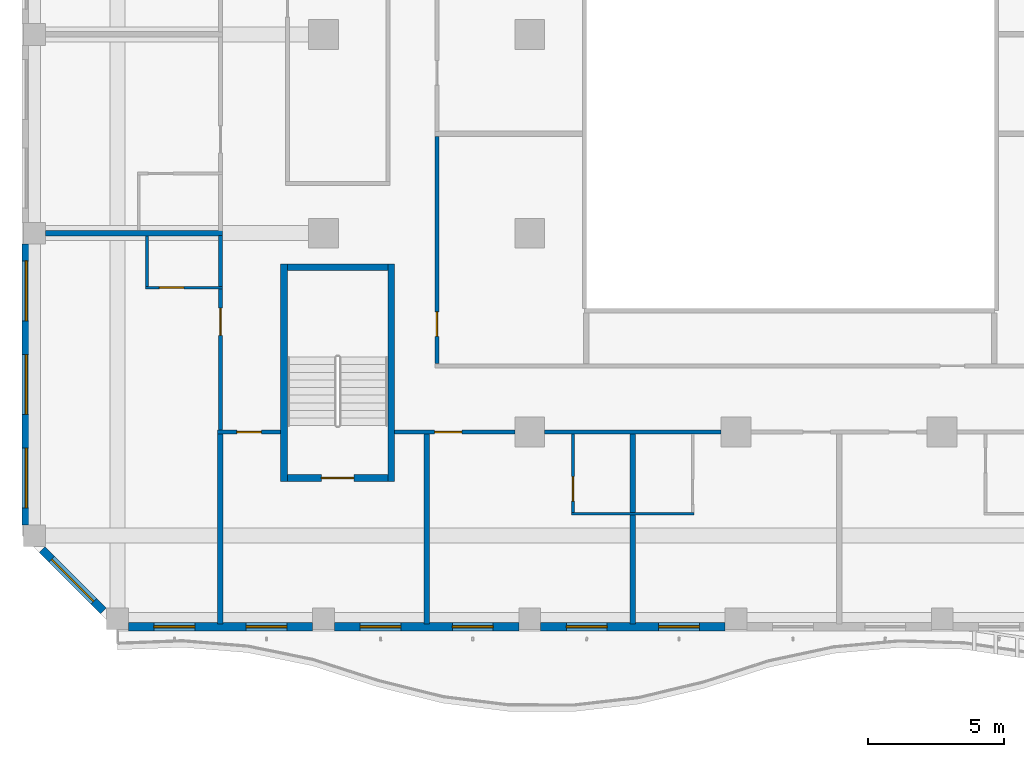
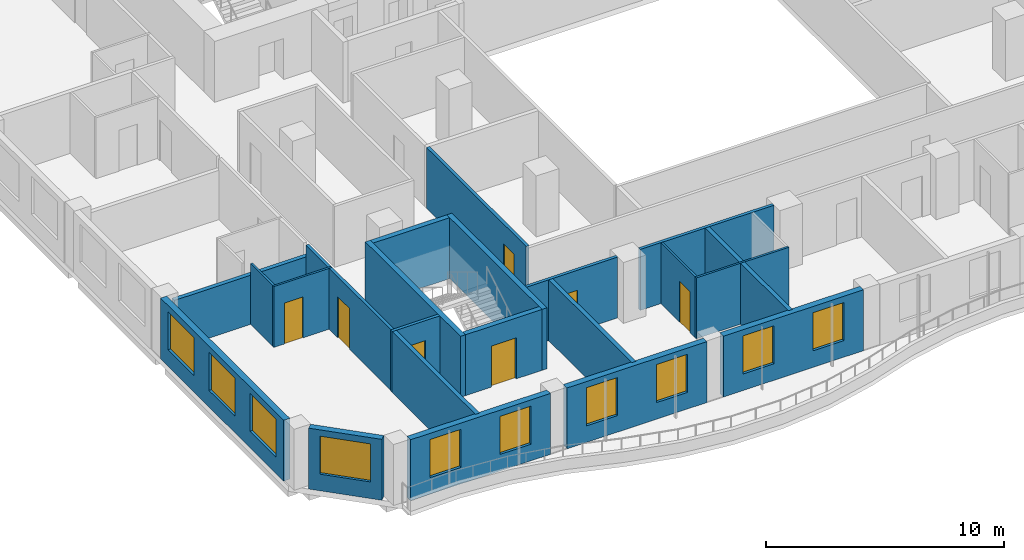
# One storey, part 2 of 20: 24 walls, 10 windows, 7 doors, 17 openings.
"""IFC4 building model written with IfcOpenShell, lengths in metres."""

from ifc_helpers import new_model, si_unit, direction, frame, frame_2d, origin, place, context, subcontext, project, spatial, rectangle, extrude, source, transform, mapped, material, layer, layer_set, type_object, element, fill, save


model = new_model("IFC4")

# Units and contexts
model_context = context("Model", 3, precision=1e-05, world=origin(), true_north=direction((0.0, 1.0)))
body_context = subcontext(model_context, "Body", "Model", "MODEL_VIEW")
ifc_project = project(units=[si_unit("LENGTHUNIT", "METRE"), si_unit("AREAUNIT", "SQUARE_METRE"), si_unit("VOLUMEUNIT", "CUBIC_METRE"), si_unit("PLANEANGLEUNIT", "RADIAN"), si_unit("MASSUNIT", "GRAM", prefix="KILO")], contexts=[model_context])

# Site, building, storey
site_placement = place(None, origin())
site = spatial("IfcSite", under=ifc_project, at=site_placement, CompositionType="ELEMENT")
building_placement = place(site_placement, origin())
building = spatial("IfcBuilding", under=site, at=building_placement, Name="Kilnfold Tower and Market Hall", CompositionType="ELEMENT")
storey_placement = place(building_placement, frame((0.0, 0.0, 157.5)))
storey = spatial("IfcBuildingStorey", under=building, at=storey_placement, Name="L36", CompositionType="ELEMENT", Elevation=157.5)

# Wall, opening, door
ifc_material_1 = material(Name="Gypsum board on steel studs", Category="steel")
ifc_layer_1 = layer(ifc_material_1, 0.14990234375)
ifc_layer_set_1 = layer_set([ifc_layer_1], Name="Gypsum board on steel studs")
wall_type_1 = type_object("IfcWallType", Name="WALL CORRIDOR 150", PredefinedType="PARTITIONING", material=ifc_layer_set_1)
wall_1_placement = place(storey_placement, frame((-13.550048828125, -13.93798828125, 0.0), z_axis=(0.0, 0.0, 1.0), x_axis=(1.0, 0.0, 0.0)))
wall_1 = element("IfcWall", 1, at=wall_1_placement, inside=storey, type_object=wall_type_1, Name="Partition LY23.1", PredefinedType="PARTITIONING", context=body_context, shape_type="SweptSolid", body=[
    extrude(rectangle(XDim=4.4169921875, YDim=0.14990234375, at=frame_2d((2.20849609375, 0.0))), origin(), (0.0, 0.0, 1.0), 3.1201171875),
])
opening_1_placement = place(wall_1_placement, frame((1.468017578125, 0.0, 0.0)))
opening_1 = element("IfcOpeningElement", 2, at=opening_1_placement, cuts=wall_1, Name="Opening D1", PredefinedType="OPENING", context=body_context, shape_type="SweptSolid", body=[
    extrude(rectangle(XDim=1.0, YDim=2.10009765625, at=frame_2d((0.5, 1.050048828125))), frame((0.0, 0.0849609375, 0.0), z_axis=(0.0, -1.0, 0.0), x_axis=(1.0, 0.0, 0.0)), (0.0, 0.0, 1.0), 0.169921875),
])
ifc_material_2 = material(Name="Timber veneer door leaf in steel frame", Category="steel")
door_type_1 = type_object("IfcDoorType", Name="DOOR ENTRY 1000 X2100", OperationType="NOTDEFINED", PredefinedType="DOOR", material=ifc_material_2)
door_1_placement = place(opening_1_placement, origin())
door_1 = element("IfcDoor", 3, at=door_1_placement, inside=storey, type_object=door_type_1, Name="Door D1", OperationType="SINGLE_SWING_RIGHT", OverallHeight=2.10009765625, OverallWidth=1.0, PredefinedType="DOOR", context=body_context, shape_type="SweptSolid", body=[
    extrude(rectangle(XDim=1.0, YDim=2.10009765625, at=frame_2d((0.5, 1.050048828125))), frame((0.0, 0.02490234375, 0.0), z_axis=(0.0, -1.0, 0.0), x_axis=(1.0, 0.0, 0.0)), (0.0, 0.0, 1.0), 0.050048828125),
])
fill(opening_1, door_1)

wall_2_placement = place(storey_placement, frame((-20.05908203125, -13.93798828125, 0.0), z_axis=(0.0, 0.0, 1.0), x_axis=(1.0, 0.0, 0.0)))
wall_2 = element("IfcWall", 4, at=wall_2_placement, inside=storey, type_object=wall_type_1, Name="Partition LY23.2", PredefinedType="PARTITIONING", context=body_context, shape_type="SweptSolid", body=[
    extrude(rectangle(XDim=2.30908203125, YDim=0.14990234375, at=frame_2d((1.154541015625, 0.0))), origin(), (0.0, 0.0, 1.0), 3.1201171875),
])
opening_2_placement = place(wall_2_placement, frame((0.705078125, 0.0, 0.0)))
opening_2 = element("IfcOpeningElement", 5, at=opening_2_placement, cuts=wall_2, Name="Opening D2", PredefinedType="OPENING", context=body_context, shape_type="SweptSolid", body=[
    extrude(rectangle(XDim=0.89990234375, YDim=2.10009765625, at=frame_2d((0.449951171875, 1.050048828125))), frame((0.0, 0.0849609375, 0.0), z_axis=(0.0, -1.0, 0.0), x_axis=(1.0, 0.0, 0.0)), (0.0, 0.0, 1.0), 0.169921875),
])
ifc_material_3 = material(Name="Timber veneer door leaf in steel frame", Category="steel")
door_type_2 = type_object("IfcDoorType", Name="DOOR ROOM 900 X2100", OperationType="NOTDEFINED", PredefinedType="DOOR", material=ifc_material_3)
door_2_placement = place(opening_2_placement, origin())
door_2 = element("IfcDoor", 6, at=door_2_placement, inside=storey, type_object=door_type_2, Name="Door D2", OperationType="SINGLE_SWING_RIGHT", OverallHeight=2.10009765625, OverallWidth=0.89990234375, PredefinedType="DOOR", context=body_context, shape_type="SweptSolid", body=[
    extrude(rectangle(XDim=0.89990234375, YDim=2.10009765625, at=frame_2d((0.449951171875, 1.050048828125))), frame((0.0, 0.02490234375, 0.0), z_axis=(0.0, -1.0, 0.0), x_axis=(1.0, 0.0, 0.0)), (0.0, 0.0, 1.0), 0.050048828125),
])
fill(opening_2, door_2)

# Wall
wall_3_placement = place(storey_placement, frame((-8.032958984375, -13.93798828125, 0.0), z_axis=(0.0, 0.0, 1.0), x_axis=(1.0, 0.0, 0.0)))
element("IfcWall", 7, at=wall_3_placement, inside=storey, type_object=wall_type_1, Name="Partition LY23.3", PredefinedType="PARTITIONING", context=body_context, shape_type="SweptSolid", body=[
    extrude(rectangle(XDim=6.48291015625, YDim=0.14990234375, at=frame_2d((3.241455078125, 0.0))), origin(), (0.0, 0.0, 1.0), 3.1201171875),
])

# Wall, opening, door
wall_4_placement = place(storey_placement, frame((-19.958984375, -13.863037109375, 0.0), z_axis=(0.0, 0.0, 1.0), x_axis=(0.0, 1.0, 0.0)))
wall_4 = element("IfcWall", 8, at=wall_4_placement, inside=storey, type_object=wall_type_1, Name="Partition LY23.10", PredefinedType="PARTITIONING", context=body_context, shape_type="SweptSolid", body=[
    extrude(rectangle(XDim=5.197998046875, YDim=0.14990234375, at=frame_2d((2.59912109375, 0.0))), origin(), (0.0, 0.0, 1.0), 3.1201171875),
])
opening_3_placement = place(wall_4_placement, frame((3.485107421875, 0.0, 0.0)))
opening_3 = element("IfcOpeningElement", 9, at=opening_3_placement, cuts=wall_4, Name="Opening D1", PredefinedType="OPENING", context=body_context, shape_type="SweptSolid", body=[
    extrude(rectangle(XDim=1.0, YDim=2.10009765625, at=frame_2d((0.5, 1.050048828125))), frame((0.0, 0.0849609375, 0.0), z_axis=(0.0, -1.0, 0.0), x_axis=(1.0, 0.0, 0.0)), (0.0, 0.0, 1.0), 0.169921875),
])
door_3_placement = place(opening_3_placement, origin())
door_3 = element("IfcDoor", 10, at=door_3_placement, inside=storey, type_object=door_type_1, Name="Door D1", OperationType="SINGLE_SWING_RIGHT", OverallHeight=2.10009765625, OverallWidth=1.0, PredefinedType="DOOR", context=body_context, shape_type="SweptSolid", body=[
    extrude(rectangle(XDim=1.0, YDim=2.10009765625, at=frame_2d((0.5, 1.050048828125))), frame((0.0, 0.02490234375, 0.0), z_axis=(0.0, -1.0, 0.0), x_axis=(1.0, 0.0, 0.0)), (0.0, 0.0, 1.0), 0.050048828125),
])
fill(opening_3, door_3)

# Wall
wall_5_placement = place(storey_placement, frame((-19.958984375, -8.5849609375, 0.0), z_axis=(0.0, 0.0, 1.0), x_axis=(0.0, 1.0, 0.0)))
element("IfcWall", 11, at=wall_5_placement, inside=storey, type_object=wall_type_1, Name="Partition LY23.11", PredefinedType="PARTITIONING", context=body_context, shape_type="SweptSolid", body=[
    extrude(rectangle(XDim=1.869873046875, YDim=0.14990234375, at=frame_2d((0.93505859375, 0.0))), origin(), (0.0, 0.0, 1.0), 3.1201171875),
])

# Wall, opening, door
wall_6_placement = place(storey_placement, frame((-12.0, -11.425048828125, 0.0), z_axis=(0.0, 0.0, 1.0), x_axis=(0.0, 1.0, 0.0)))
wall_6 = element("IfcWall", 12, at=wall_6_placement, inside=storey, type_object=wall_type_1, Name="Partition LY23.32", PredefinedType="PARTITIONING", context=body_context, shape_type="SweptSolid", body=[
    extrude(rectangle(XDim=8.365966796875, YDim=0.14990234375, at=frame_2d((4.18310546875, 0.0))), origin(), (0.0, 0.0, 1.0), 3.1201171875),
])
opening_4_placement = place(wall_6_placement, frame((1.008056640625, 0.0, 0.0)))
opening_4 = element("IfcOpeningElement", 13, at=opening_4_placement, cuts=wall_6, Name="Opening D2", PredefinedType="OPENING", context=body_context, shape_type="SweptSolid", body=[
    extrude(rectangle(XDim=0.89990234375, YDim=2.10009765625, at=frame_2d((0.449951171875, 1.050048828125))), frame((0.0, 0.0849609375, 0.0), z_axis=(0.0, -1.0, 0.0), x_axis=(1.0, 0.0, 0.0)), (0.0, 0.0, 1.0), 0.169921875),
])
door_4_placement = place(opening_4_placement, origin())
door_4 = element("IfcDoor", 14, at=door_4_placement, inside=storey, type_object=door_type_2, Name="Door D2", OperationType="SINGLE_SWING_LEFT", OverallHeight=2.10009765625, OverallWidth=0.89990234375, PredefinedType="DOOR", context=body_context, shape_type="SweptSolid", body=[
    extrude(rectangle(XDim=0.89990234375, YDim=2.10009765625, at=frame_2d((0.449951171875, 1.050048828125))), frame((0.0, 0.02490234375, 0.0), z_axis=(0.0, -1.0, 0.0), x_axis=(1.0, 0.0, 0.0)), (0.0, 0.0, 1.0), 0.050048828125),
])
fill(opening_4, door_4)

ifc_material_4 = material(Name="Gypsum board on steel studs", Category="steel")
ifc_layer_2 = layer(ifc_material_4, 0.10009765625)
ifc_layer_set_2 = layer_set([ifc_layer_2], Name="Gypsum board on steel studs")
wall_type_2 = type_object("IfcWallType", Name="WALL PARTITION 100", PredefinedType="PARTITIONING", material=ifc_layer_set_2)
wall_7_placement = place(storey_placement, frame((-6.991943359375, -16.889892578125, 0.0), z_axis=(0.0, 0.0, 1.0), x_axis=(0.0, 1.0, 0.0)))
wall_7 = element("IfcWall", 15, at=wall_7_placement, inside=storey, type_object=wall_type_2, Name="Partition LY23.46", PredefinedType="PARTITIONING", context=body_context, shape_type="SweptSolid", body=[
    extrude(rectangle(XDim=2.875, YDim=0.10009765625, at=frame_2d((1.4375, 0.0))), origin(), (0.0, 0.0, 1.0), 3.1201171875),
])
opening_5_placement = place(wall_7_placement, frame((0.409912109375, 0.0, 0.0)))
opening_5 = element("IfcOpeningElement", 16, at=opening_5_placement, cuts=wall_7, Name="Opening D3", PredefinedType="OPENING", context=body_context, shape_type="SweptSolid", body=[
    extrude(rectangle(XDim=0.89990234375, YDim=2.10009765625, at=frame_2d((0.449951171875, 1.050048828125))), frame((0.0, 0.06005859375, 0.0), z_axis=(0.0, -1.0, 0.0), x_axis=(1.0, 0.0, 0.0)), (0.0, 0.0, 1.0), 0.1201171875),
])
ifc_material_5 = material(Name="Timber veneer door leaf in steel frame", Category="steel")
door_type_3 = type_object("IfcDoorType", Name="DOOR WC 900 X2100", OperationType="NOTDEFINED", PredefinedType="DOOR", material=ifc_material_5)
door_5_placement = place(opening_5_placement, origin())
door_5 = element("IfcDoor", 17, at=door_5_placement, inside=storey, type_object=door_type_3, Name="Door D3", OperationType="SINGLE_SWING_LEFT", OverallHeight=2.10009765625, OverallWidth=0.89990234375, PredefinedType="DOOR", context=body_context, shape_type="SweptSolid", body=[
    extrude(rectangle(XDim=0.89990234375, YDim=2.10009765625, at=frame_2d((0.449951171875, 1.050048828125))), frame((0.0, 0.02490234375, 0.0), z_axis=(0.0, -1.0, 0.0), x_axis=(1.0, 0.0, 0.0)), (0.0, 0.0, 1.0), 0.050048828125),
])
fill(opening_5, door_5)

# Walls
wall_8_placement = place(storey_placement, frame((-7.0419921875, -16.93994140625, 0.0), z_axis=(0.0, 0.0, 1.0), x_axis=(1.0, 0.0, 0.0)))
element("IfcWall", 18, at=wall_8_placement, inside=storey, type_object=wall_type_2, Name="Partition LY23.47", PredefinedType="PARTITIONING", context=body_context, shape_type="SweptSolid", body=[
    extrude(rectangle(XDim=4.5, YDim=0.10009765625, at=frame_2d((2.25, 0.0))), origin(), (0.0, 0.0, 1.0), 3.1201171875),
])
wall_9_placement = place(storey_placement, frame((-22.658935546875, -8.574951171875, 0.0), z_axis=(0.0, 0.0, 1.0), x_axis=(0.0, 1.0, 0.0)))
element("IfcWall", 19, at=wall_9_placement, inside=storey, type_object=wall_type_2, Name="Partition LY23.62", PredefinedType="PARTITIONING", context=body_context, shape_type="SweptSolid", body=[
    extrude(rectangle(XDim=1.849853515625, YDim=0.10009765625, at=frame_2d((0.9248046875, 0.0))), origin(), (0.0, 0.0, 1.0), 3.1201171875),
])

# Wall, opening, door
wall_10_placement = place(storey_placement, frame((-19.885986328125, -8.625, 0.0), z_axis=(0.0, 0.0, 1.0), x_axis=(-1.0, 0.0, 0.0)))
wall_10 = element("IfcWall", 20, at=wall_10_placement, inside=storey, type_object=wall_type_2, Name="Partition LY23.63", PredefinedType="PARTITIONING", context=body_context, shape_type="SweptSolid", body=[
    extrude(rectangle(XDim=2.822998046875, YDim=0.10009765625, at=frame_2d((1.41162109375, 0.0))), origin(), (0.0, 0.0, 1.0), 3.1201171875),
])
opening_6_placement = place(wall_10_placement, frame((1.41796875, 0.0, 0.0)))
opening_6 = element("IfcOpeningElement", 21, at=opening_6_placement, cuts=wall_10, Name="Opening D3", PredefinedType="OPENING", context=body_context, shape_type="SweptSolid", body=[
    extrude(rectangle(XDim=0.89990234375, YDim=2.10009765625, at=frame_2d((0.449951171875, 1.050048828125))), frame((0.0, 0.06005859375, 0.0), z_axis=(0.0, -1.0, 0.0), x_axis=(1.0, 0.0, 0.0)), (0.0, 0.0, 1.0), 0.1201171875),
])
door_6_placement = place(opening_6_placement, origin())
door_6 = element("IfcDoor", 22, at=door_6_placement, inside=storey, type_object=door_type_3, Name="Door D3", OperationType="SINGLE_SWING_LEFT", OverallHeight=2.10009765625, OverallWidth=0.89990234375, PredefinedType="DOOR", context=body_context, shape_type="SweptSolid", body=[
    extrude(rectangle(XDim=0.89990234375, YDim=2.10009765625, at=frame_2d((0.449951171875, 1.050048828125))), frame((0.0, 0.02490234375, 0.0), z_axis=(0.0, -1.0, 0.0), x_axis=(1.0, 0.0, 0.0)), (0.0, 0.0, 1.0), 0.050048828125),
])
fill(opening_6, door_6)

# Walls
ifc_material_6 = material(Name="Gypsum board on steel studs", Category="steel")
ifc_layer_3 = layer(ifc_material_6, 0.199951171875)
ifc_layer_set_3 = layer_set([ifc_layer_3], Name="Gypsum board on steel studs")
wall_type_3 = type_object("IfcWallType", Name="WALL PARTY 200", PredefinedType="PARTITIONING", material=ifc_layer_set_3)
for number, where, z_axis, x_axis, name in (
    (23, (-12.375, -21.0, 0.0), (0.0, 0.0, 1.0), (0.0, 1.0, 0.0), "Partition LY23.44"),
    (24, (-19.958984375, -21.0, 0.0), (0.0, 0.0, 1.0), (0.0, 1.0, 0.0), "Partition LY23.45"),
):
    element("IfcWall", number, at=place(storey_placement, frame(where, z_axis=z_axis, x_axis=x_axis)), inside=storey, type_object=wall_type_3, Name=name, PredefinedType="PARTITIONING", context=body_context, shape_type="SweptSolid", body=[
        extrude(rectangle(XDim=6.985107421875, YDim=0.199951171875, at=frame_2d((3.49267578125, 0.0))), origin(), (0.0, 0.0, 1.0), 3.1201171875),
    ])
wall_11_placement = place(storey_placement, frame((-4.7919921875, -21.0, 0.0), z_axis=(0.0, 0.0, 1.0), x_axis=(0.0, 1.0, 0.0)))
element("IfcWall", 25, at=wall_11_placement, inside=storey, type_object=wall_type_3, Name="Partition LY23.48", PredefinedType="PARTITIONING", context=body_context, shape_type="SweptSolid", body=[
    extrude(rectangle(XDim=4.010009765625, YDim=0.199951171875, at=frame_2d((2.0048828125, 0.0))), origin(), (0.0, 0.0, 1.0), 3.1201171875),
])
wall_12_placement = place(storey_placement, frame((-4.7919921875, -16.889892578125, 0.0), z_axis=(0.0, 0.0, 1.0), x_axis=(0.0, 1.0, 0.0)))
element("IfcWall", 26, at=wall_12_placement, inside=storey, type_object=wall_type_3, Name="Partition LY23.49", PredefinedType="PARTITIONING", context=body_context, shape_type="SweptSolid", body=[
    extrude(rectangle(XDim=2.875, YDim=0.199951171875, at=frame_2d((1.4375, 0.0))), origin(), (0.0, 0.0, 1.0), 3.1201171875),
])
wall_13_placement = place(storey_placement, frame((-26.39990234375, -6.625, 0.0), z_axis=(0.0, 0.0, 1.0), x_axis=(1.0, 0.0, 0.0)))
element("IfcWall", 27, at=wall_13_placement, inside=storey, type_object=wall_type_3, Name="Partition LY23.64", PredefinedType="PARTITIONING", context=body_context, shape_type="SweptSolid", body=[
    extrude(rectangle(XDim=6.513916015625, YDim=0.199951171875, at=frame_2d((3.2568359375, 0.0))), origin(), (0.0, 0.0, 1.0), 2.52001953125),
])

# Wall, opening, door
ifc_material_7 = material(Name="Concrete C70", Category="concrete")
ifc_layer_4 = layer(ifc_material_7, 0.25)
ifc_layer_set_4 = layer_set([ifc_layer_4], Name="Concrete C70")
wall_type_4 = type_object("IfcWallType", Name="CORE WALL 250 C70", PredefinedType="SHEAR", material=ifc_layer_set_4)
shared_shape_1 = source(origin(), body_context, "Body", "SweptSolid", [
    extrude(rectangle(XDim=3.699951171875, YDim=0.25, at=frame_2d((1.85009765625, 0.0))), origin(), (0.0, 0.0, 1.0), 3.1201171875),
])
wall_14_placement = place(storey_placement, frame((-17.5, -15.625, 0.0), z_axis=(0.0, 0.0, 1.0), x_axis=(1.0, 0.0, 0.0)))
wall_14 = element("IfcWall", 28, at=wall_14_placement, inside=storey, type_object=wall_type_4, Name="Stair enclosure ST3", PredefinedType="SHEAR", context=body_context, shape_type="MappedRepresentation", body=[
    mapped(shared_shape_1, transform((0.0, 0.0, 0.0))),
])
opening_7_placement = place(wall_14_placement, frame((1.25, 0.0, 0.0)))
opening_7 = element("IfcOpeningElement", 29, at=opening_7_placement, cuts=wall_14, Name="Opening SD1", PredefinedType="OPENING", context=body_context, shape_type="SweptSolid", body=[
    extrude(rectangle(XDim=1.199951171875, YDim=2.10009765625, at=frame_2d((0.60009765625, 1.050048828125))), frame((0.0, 0.135009765625, 0.0), z_axis=(0.0, -1.0, 0.0), x_axis=(1.0, 0.0, 0.0)), (0.0, 0.0, 1.0), 0.27001953125),
])
ifc_material_8 = material(Name="Steel door set with fire-resisting leaf", Category="steel")
door_type_4 = type_object("IfcDoorType", Name="STAIR FLOOR DOOR 1200X2100", OperationType="NOTDEFINED", PredefinedType="DOOR", material=ifc_material_8)
door_7_placement = place(opening_7_placement, origin())
door_7 = element("IfcDoor", 30, at=door_7_placement, inside=storey, type_object=door_type_4, Name="Exit stair ST3 door", OperationType="DOUBLE_DOOR_SINGLE_SWING", OverallHeight=2.10009765625, OverallWidth=1.199951171875, PredefinedType="DOOR", context=body_context, shape_type="SweptSolid", body=[
    extrude(rectangle(XDim=1.199951171875, YDim=2.10009765625, at=frame_2d((0.60009765625, 1.050048828125))), frame((0.0, 0.02490234375, 0.0), z_axis=(0.0, -1.0, 0.0), x_axis=(1.0, 0.0, 0.0)), (0.0, 0.0, 1.0), 0.050048828125),
])
fill(opening_7, door_7)

# Walls
wall_15_placement = place(storey_placement, frame((-17.5, -7.875, 0.0), z_axis=(0.0, 0.0, 1.0), x_axis=(1.0, 0.0, 0.0)))
element("IfcWall", 31, at=wall_15_placement, inside=storey, type_object=wall_type_4, Name="Stair enclosure ST3", PredefinedType="SHEAR", context=body_context, shape_type="MappedRepresentation", body=[
    mapped(shared_shape_1, transform((0.0, 0.0, 0.0))),
])
shared_shape_2 = source(origin(), body_context, "Body", "SweptSolid", [
    extrude(rectangle(XDim=8.0, YDim=0.25, at=frame_2d((4.0, 0.0))), origin(), (0.0, 0.0, 1.0), 3.1201171875),
])
for number, where, z_axis, x_axis, name in (
    (32, (-17.625, -15.75, 0.0), (0.0, 0.0, 1.0), (0.0, 1.0, 0.0), "Stair enclosure ST3"),
    (33, (-13.675048828125, -15.75, 0.0), (0.0, 0.0, 1.0), (0.0, 1.0, 0.0), "Stair enclosure ST3"),
):
    element("IfcWall", number, at=place(storey_placement, frame(where, z_axis=z_axis, x_axis=x_axis)), inside=storey, type_object=wall_type_4, Name=name, PredefinedType="SHEAR", context=body_context, shape_type="MappedRepresentation", body=[
        mapped(shared_shape_2, transform((0.0, 0.0, 0.0))),
    ])

# Wall, openings, windows
ifc_material_9 = material(Name="Precast concrete C50/60", Category="concrete")
ifc_layer_5 = layer(ifc_material_9, 0.300048828125)
ifc_layer_set_5 = layer_set([ifc_layer_5], Name="Precast concrete C50/60")
wall_type_5 = type_object("IfcWallType", Name="PRECAST WALL 300", PredefinedType="SOLIDWALL", material=ifc_layer_set_5)
shared_shape_3 = source(origin(), body_context, "Body", "SweptSolid", [
    extrude(rectangle(XDim=6.783447265625, YDim=0.300048828125, at=frame_2d((3.3916015625, 0.0))), origin(), (0.0, 0.0, 1.0), 3.1201171875),
])
wall_16_placement = place(storey_placement, frame((-23.35009765625, -21.10009765625, 0.0), z_axis=(0.0, 0.0, 1.0), x_axis=(1.0, 0.0, 0.0)))
wall_16 = element("IfcWall", 34, at=wall_16_placement, inside=storey, type_object=wall_type_5, Name="External wall L36 S", PredefinedType="SOLIDWALL", context=body_context, shape_type="MappedRepresentation", body=[
    mapped(shared_shape_3, transform((0.0, 0.0, 0.0))),
])
opening_8_placement = place(wall_16_placement, frame((0.94580078125, 0.0, 0.85009765625)))
opening_8 = element("IfcOpeningElement", 35, at=opening_8_placement, cuts=wall_16, Name="Opening W4", PredefinedType="OPENING", context=body_context, shape_type="SweptSolid", body=[
    extrude(rectangle(XDim=1.5, YDim=1.949951171875, at=frame_2d((0.75, 0.97509765625))), frame((0.0, 0.16015625, 0.0), z_axis=(0.0, -1.0, 0.0), x_axis=(1.0, 0.0, 0.0)), (0.0, 0.0, 1.0), 0.320068359375),
])
opening_9_placement = place(wall_16_placement, frame((4.33740234375, 0.0, 0.85009765625)))
opening_9 = element("IfcOpeningElement", 36, at=opening_9_placement, cuts=wall_16, Name="Opening W4", PredefinedType="OPENING", context=body_context, shape_type="SweptSolid", body=[
    extrude(rectangle(XDim=1.5, YDim=1.949951171875, at=frame_2d((0.75, 0.97509765625))), frame((0.0, 0.16015625, 0.0), z_axis=(0.0, -1.0, 0.0), x_axis=(1.0, 0.0, 0.0)), (0.0, 0.0, 1.0), 0.320068359375),
])
ifc_material_10 = material(Name="Aluminium frame and double glazing", Category="aluminium")
window_type_1 = type_object("IfcWindowType", Name="WINDOW W4 1500X1950", PartitioningType="SINGLE_PANEL", PredefinedType="WINDOW", material=ifc_material_10)
window_1_placement = place(opening_8_placement, origin())
window_1 = element("IfcWindow", 37, at=window_1_placement, inside=storey, type_object=window_type_1, Name="Window W4 L36 S-1", OverallHeight=1.949951171875, OverallWidth=1.5, PartitioningType="SINGLE_PANEL", PredefinedType="WINDOW", context=body_context, shape_type="SweptSolid", body=[
    extrude(rectangle(XDim=1.5, YDim=1.949951171875, at=frame_2d((0.75, 0.97509765625))), frame((0.0, 0.030029296875, 0.0), z_axis=(0.0, -1.0, 0.0), x_axis=(1.0, 0.0, 0.0)), (0.0, 0.0, 1.0), 0.06005859375),
])
fill(opening_8, window_1)
window_2_placement = place(opening_9_placement, origin())
window_2 = element("IfcWindow", 38, at=window_2_placement, inside=storey, type_object=window_type_1, Name="Window W4 L36 S-2", OverallHeight=1.949951171875, OverallWidth=1.5, PartitioningType="SINGLE_PANEL", PredefinedType="WINDOW", context=body_context, shape_type="SweptSolid", body=[
    extrude(rectangle(XDim=1.5, YDim=1.949951171875, at=frame_2d((0.75, 0.97509765625))), frame((0.0, 0.030029296875, 0.0), z_axis=(0.0, -1.0, 0.0), x_axis=(1.0, 0.0, 0.0)), (0.0, 0.0, 1.0), 0.06005859375),
])
fill(opening_9, window_2)

wall_17_placement = place(storey_placement, frame((-8.183349609375, -21.10009765625, 0.0), z_axis=(0.0, 0.0, 1.0), x_axis=(1.0, 0.0, 0.0)))
wall_17 = element("IfcWall", 39, at=wall_17_placement, inside=storey, type_object=wall_type_5, Name="External wall L36 S", PredefinedType="SOLIDWALL", context=body_context, shape_type="MappedRepresentation", body=[
    mapped(shared_shape_3, transform((0.0, 0.0, 0.0))),
])
opening_10_placement = place(wall_17_placement, frame((0.94580078125, 0.0, 0.85009765625)))
opening_10 = element("IfcOpeningElement", 40, at=opening_10_placement, cuts=wall_17, Name="Opening W4", PredefinedType="OPENING", context=body_context, shape_type="SweptSolid", body=[
    extrude(rectangle(XDim=1.5, YDim=1.949951171875, at=frame_2d((0.75, 0.97509765625))), frame((0.0, 0.16015625, 0.0), z_axis=(0.0, -1.0, 0.0), x_axis=(1.0, 0.0, 0.0)), (0.0, 0.0, 1.0), 0.320068359375),
])
opening_11_placement = place(wall_17_placement, frame((4.33740234375, 0.0, 0.85009765625)))
opening_11 = element("IfcOpeningElement", 41, at=opening_11_placement, cuts=wall_17, Name="Opening W4", PredefinedType="OPENING", context=body_context, shape_type="SweptSolid", body=[
    extrude(rectangle(XDim=1.5, YDim=1.949951171875, at=frame_2d((0.75, 0.97509765625))), frame((0.0, 0.16015625, 0.0), z_axis=(0.0, -1.0, 0.0), x_axis=(1.0, 0.0, 0.0)), (0.0, 0.0, 1.0), 0.320068359375),
])
window_3_placement = place(opening_10_placement, origin())
window_3 = element("IfcWindow", 42, at=window_3_placement, inside=storey, type_object=window_type_1, Name="Window W4 L36 S-1", OverallHeight=1.949951171875, OverallWidth=1.5, PartitioningType="SINGLE_PANEL", PredefinedType="WINDOW", context=body_context, shape_type="SweptSolid", body=[
    extrude(rectangle(XDim=1.5, YDim=1.949951171875, at=frame_2d((0.75, 0.97509765625))), frame((0.0, 0.030029296875, 0.0), z_axis=(0.0, -1.0, 0.0), x_axis=(1.0, 0.0, 0.0)), (0.0, 0.0, 1.0), 0.06005859375),
])
fill(opening_10, window_3)
window_4_placement = place(opening_11_placement, origin())
window_4 = element("IfcWindow", 43, at=window_4_placement, inside=storey, type_object=window_type_1, Name="Window W4 L36 S-2", OverallHeight=1.949951171875, OverallWidth=1.5, PartitioningType="SINGLE_PANEL", PredefinedType="WINDOW", context=body_context, shape_type="SweptSolid", body=[
    extrude(rectangle(XDim=1.5, YDim=1.949951171875, at=frame_2d((0.75, 0.97509765625))), frame((0.0, 0.030029296875, 0.0), z_axis=(0.0, -1.0, 0.0), x_axis=(1.0, 0.0, 0.0)), (0.0, 0.0, 1.0), 0.06005859375),
])
fill(opening_11, window_4)

shared_shape_4 = source(origin(), body_context, "Body", "SweptSolid", [
    extrude(rectangle(XDim=6.783203125, YDim=0.300048828125, at=frame_2d((3.3916015625, 0.0))), origin(), (0.0, 0.0, 1.0), 3.1201171875),
])
wall_18_placement = place(storey_placement, frame((-15.7666015625, -21.10009765625, 0.0), z_axis=(0.0, 0.0, 1.0), x_axis=(1.0, 0.0, 0.0)))
wall_18 = element("IfcWall", 44, at=wall_18_placement, inside=storey, type_object=wall_type_5, Name="External wall L36 S", PredefinedType="SOLIDWALL", context=body_context, shape_type="MappedRepresentation", body=[
    mapped(shared_shape_4, transform((0.0, 0.0, 0.0))),
])
opening_12_placement = place(wall_18_placement, frame((0.94580078125, 0.0, 0.85009765625)))
opening_12 = element("IfcOpeningElement", 45, at=opening_12_placement, cuts=wall_18, Name="Opening W4", PredefinedType="OPENING", context=body_context, shape_type="SweptSolid", body=[
    extrude(rectangle(XDim=1.5, YDim=1.949951171875, at=frame_2d((0.75, 0.97509765625))), frame((0.0, 0.16015625, 0.0), z_axis=(0.0, -1.0, 0.0), x_axis=(1.0, 0.0, 0.0)), (0.0, 0.0, 1.0), 0.320068359375),
])
opening_13_placement = place(wall_18_placement, frame((4.337646484375, 0.0, 0.85009765625)))
opening_13 = element("IfcOpeningElement", 46, at=opening_13_placement, cuts=wall_18, Name="Opening W4", PredefinedType="OPENING", context=body_context, shape_type="SweptSolid", body=[
    extrude(rectangle(XDim=1.5, YDim=1.949951171875, at=frame_2d((0.75, 0.97509765625))), frame((0.0, 0.16015625, 0.0), z_axis=(0.0, -1.0, 0.0), x_axis=(1.0, 0.0, 0.0)), (0.0, 0.0, 1.0), 0.320068359375),
])
window_5_placement = place(opening_12_placement, origin())
window_5 = element("IfcWindow", 47, at=window_5_placement, inside=storey, type_object=window_type_1, Name="Window W4 L36 S-1", OverallHeight=1.949951171875, OverallWidth=1.5, PartitioningType="SINGLE_PANEL", PredefinedType="WINDOW", context=body_context, shape_type="SweptSolid", body=[
    extrude(rectangle(XDim=1.5, YDim=1.949951171875, at=frame_2d((0.75, 0.97509765625))), frame((0.0, 0.030029296875, 0.0), z_axis=(0.0, -1.0, 0.0), x_axis=(1.0, 0.0, 0.0)), (0.0, 0.0, 1.0), 0.06005859375),
])
fill(opening_12, window_5)
window_6_placement = place(opening_13_placement, origin())
window_6 = element("IfcWindow", 48, at=window_6_placement, inside=storey, type_object=window_type_1, Name="Window W4 L36 S-2", OverallHeight=1.949951171875, OverallWidth=1.5, PartitioningType="SINGLE_PANEL", PredefinedType="WINDOW", context=body_context, shape_type="SweptSolid", body=[
    extrude(rectangle(XDim=1.5, YDim=1.949951171875, at=frame_2d((0.75, 0.97509765625))), frame((0.0, 0.030029296875, 0.0), z_axis=(0.0, -1.0, 0.0), x_axis=(1.0, 0.0, 0.0)), (0.0, 0.0, 1.0), 0.06005859375),
])
fill(opening_13, window_6)

shared_shape_5 = source(origin(), body_context, "Body", "SweptSolid", [
    extrude(rectangle(XDim=10.3251953125, YDim=0.300048828125, at=frame_2d((5.16259765625, 0.0))), origin(), (0.0, 0.0, 1.0), 3.1201171875),
])
wall_19_placement = place(storey_placement, frame((-27.10009765625, -7.02490234375, 0.0), z_axis=(0.0, 0.0, 1.0), x_axis=(0.0, -1.0, 0.0)))
wall_19 = element("IfcWall", 49, at=wall_19_placement, inside=storey, type_object=wall_type_5, Name="External wall L36 W", PredefinedType="SOLIDWALL", context=body_context, shape_type="MappedRepresentation", body=[
    mapped(shared_shape_5, transform((0.0, 0.0, 0.0))),
])
opening_14_placement = place(wall_19_placement, frame((0.620849609375, 0.0, 0.85009765625)))
opening_14 = element("IfcOpeningElement", 50, at=opening_14_placement, cuts=wall_19, Name="Opening W2", PredefinedType="OPENING", context=body_context, shape_type="SweptSolid", body=[
    extrude(rectangle(XDim=2.199951171875, YDim=1.949951171875, at=frame_2d((1.10009765625, 0.97509765625))), frame((0.0, 0.16015625, 0.0), z_axis=(0.0, -1.0, 0.0), x_axis=(1.0, 0.0, 0.0)), (0.0, 0.0, 1.0), 0.320068359375),
])
opening_15_placement = place(wall_19_placement, frame((4.0625, 0.0, 0.85009765625)))
opening_15 = element("IfcOpeningElement", 51, at=opening_15_placement, cuts=wall_19, Name="Opening W2", PredefinedType="OPENING", context=body_context, shape_type="SweptSolid", body=[
    extrude(rectangle(XDim=2.199951171875, YDim=1.949951171875, at=frame_2d((1.10009765625, 0.97509765625))), frame((0.0, 0.16015625, 0.0), z_axis=(0.0, -1.0, 0.0), x_axis=(1.0, 0.0, 0.0)), (0.0, 0.0, 1.0), 0.320068359375),
])
opening_16_placement = place(wall_19_placement, frame((7.504150390625, 0.0, 0.85009765625)))
opening_16 = element("IfcOpeningElement", 52, at=opening_16_placement, cuts=wall_19, Name="Opening W2", PredefinedType="OPENING", context=body_context, shape_type="SweptSolid", body=[
    extrude(rectangle(XDim=2.199951171875, YDim=1.949951171875, at=frame_2d((1.10009765625, 0.97509765625))), frame((0.0, 0.16015625, 0.0), z_axis=(0.0, -1.0, 0.0), x_axis=(1.0, 0.0, 0.0)), (0.0, 0.0, 1.0), 0.320068359375),
])
ifc_material_11 = material(Name="Aluminium frame and double glazing", Category="aluminium")
window_type_2 = type_object("IfcWindowType", Name="WINDOW W2 2200X1950", PartitioningType="SINGLE_PANEL", PredefinedType="WINDOW", material=ifc_material_11)
window_7_placement = place(opening_14_placement, origin())
window_7 = element("IfcWindow", 53, at=window_7_placement, inside=storey, type_object=window_type_2, Name="Window W2 L36 W-1", OverallHeight=1.949951171875, OverallWidth=2.199951171875, PartitioningType="SINGLE_PANEL", PredefinedType="WINDOW", context=body_context, shape_type="SweptSolid", body=[
    extrude(rectangle(XDim=2.199951171875, YDim=1.949951171875, at=frame_2d((1.10009765625, 0.97509765625))), frame((0.0, 0.030029296875, 0.0), z_axis=(0.0, -1.0, 0.0), x_axis=(1.0, 0.0, 0.0)), (0.0, 0.0, 1.0), 0.06005859375),
])
fill(opening_14, window_7)
window_8_placement = place(opening_15_placement, origin())
window_8 = element("IfcWindow", 54, at=window_8_placement, inside=storey, type_object=window_type_2, Name="Window W2 L36 W-2", OverallHeight=1.949951171875, OverallWidth=2.199951171875, PartitioningType="SINGLE_PANEL", PredefinedType="WINDOW", context=body_context, shape_type="SweptSolid", body=[
    extrude(rectangle(XDim=2.199951171875, YDim=1.949951171875, at=frame_2d((1.10009765625, 0.97509765625))), frame((0.0, 0.030029296875, 0.0), z_axis=(0.0, -1.0, 0.0), x_axis=(1.0, 0.0, 0.0)), (0.0, 0.0, 1.0), 0.06005859375),
])
fill(opening_15, window_8)
window_9_placement = place(opening_16_placement, origin())
window_9 = element("IfcWindow", 55, at=window_9_placement, inside=storey, type_object=window_type_2, Name="Window W2 L36 W-3", OverallHeight=1.949951171875, OverallWidth=2.199951171875, PartitioningType="SINGLE_PANEL", PredefinedType="WINDOW", context=body_context, shape_type="SweptSolid", body=[
    extrude(rectangle(XDim=2.199951171875, YDim=1.949951171875, at=frame_2d((1.10009765625, 0.97509765625))), frame((0.0, 0.030029296875, 0.0), z_axis=(0.0, -1.0, 0.0), x_axis=(1.0, 0.0, 0.0)), (0.0, 0.0, 1.0), 0.06005859375),
])
fill(opening_16, window_9)

# Wall, opening, window
shared_shape_6 = source(origin(), body_context, "Body", "SweptSolid", [
    extrude(rectangle(XDim=3.18212890625, YDim=0.300048828125, at=frame_2d((1.591064453125, 0.0))), origin(), (0.0, 0.0, 1.0), 3.1201171875),
])
wall_20_placement = place(storey_placement, frame((-26.518798828125, -18.268798828125, 0.0), z_axis=(0.0, 0.0, 1.0), x_axis=(0.707068419229, -0.707145141063, 0.0)))
wall_20 = element("IfcWall", 56, at=wall_20_placement, inside=storey, type_object=wall_type_5, Name="External wall L36 SW", PredefinedType="SOLIDWALL", context=body_context, shape_type="MappedRepresentation", body=[
    mapped(shared_shape_6, transform((0.0, 0.0, 0.0))),
])
opening_17_placement = place(wall_20_placement, frame((0.490966796875, 0.0, 0.85009765625)))
opening_17 = element("IfcOpeningElement", 57, at=opening_17_placement, cuts=wall_20, Name="Opening W2", PredefinedType="OPENING", context=body_context, shape_type="SweptSolid", body=[
    extrude(rectangle(XDim=2.199951171875, YDim=1.949951171875, at=frame_2d((1.10009765625, 0.97509765625))), frame((0.0, 0.16015625, 0.0), z_axis=(0.0, -1.0, 0.0), x_axis=(1.0, 0.0, 0.0)), (0.0, 0.0, 1.0), 0.320068359375),
])
window_10_placement = place(opening_17_placement, origin())
window_10 = element("IfcWindow", 58, at=window_10_placement, inside=storey, type_object=window_type_2, Name="Window W2 L36 SW-1", OverallHeight=1.949951171875, OverallWidth=2.199951171875, PartitioningType="SINGLE_PANEL", PredefinedType="WINDOW", context=body_context, shape_type="SweptSolid", body=[
    extrude(rectangle(XDim=2.199951171875, YDim=1.949951171875, at=frame_2d((1.10009765625, 0.97509765625))), frame((0.0, 0.030029296875, 0.0), z_axis=(0.0, -1.0, 0.0), x_axis=(1.0, 0.0, 0.0)), (0.0, 0.0, 1.0), 0.06005859375),
])
fill(opening_17, window_10)

save(model, "model.ifc")
